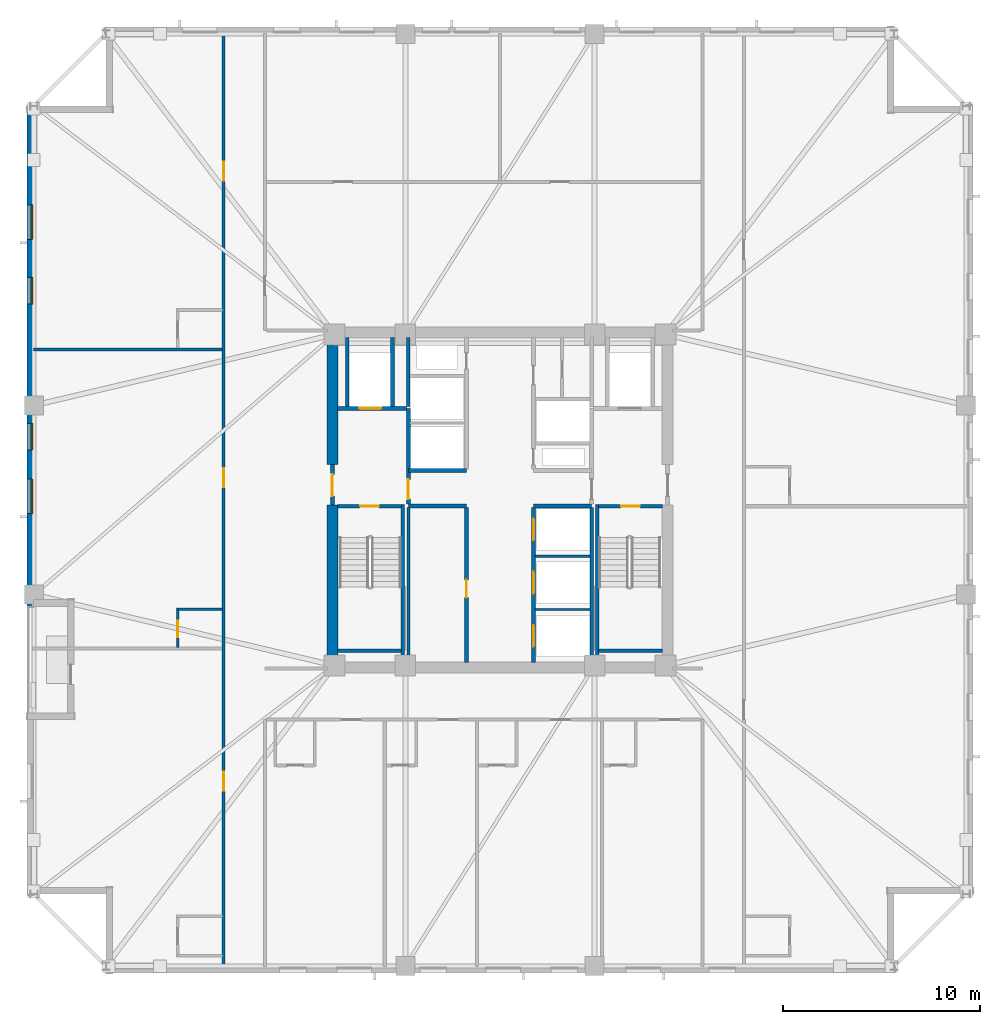
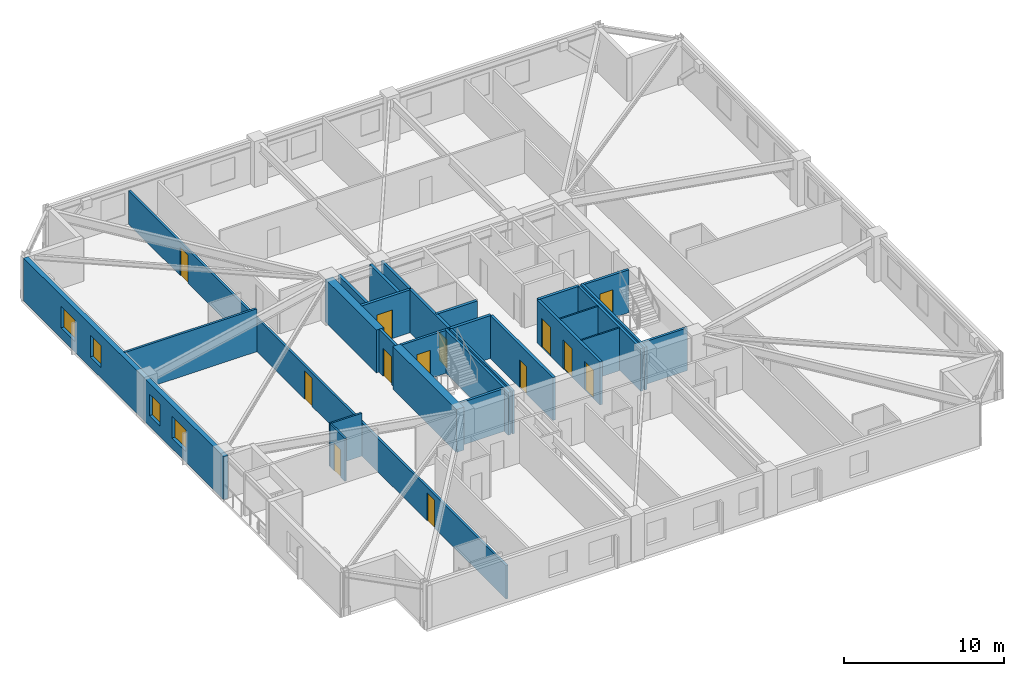
# One storey, part 3 of 10: 28 walls, 13 doors, 4 windows, 17 openings.
"""IFC4 building model written with IfcOpenShell, lengths in metres."""

from ifc_helpers import new_model, si_unit, direction, frame, frame_2d, origin, place, context, subcontext, project, spatial, rectangle, extrude, material, layer, layer_set, type_object, element, fill, save


model = new_model("IFC4")

# Units and contexts
model_context = context("Model", 3, precision=1e-05, world=origin(), true_north=direction((0.0, 1.0)))
body_context = subcontext(model_context, "Body", "Model", "MODEL_VIEW")
ifc_project = project(units=[si_unit("LENGTHUNIT", "METRE"), si_unit("AREAUNIT", "SQUARE_METRE"), si_unit("VOLUMEUNIT", "CUBIC_METRE"), si_unit("PLANEANGLEUNIT", "RADIAN"), si_unit("MASSUNIT", "GRAM", prefix="KILO")], contexts=[model_context])

# Site, building, storey
site_placement = place(None, origin())
site = spatial("IfcSite", under=ifc_project, at=site_placement, CompositionType="ELEMENT")
building_placement = place(site_placement, origin())
building = spatial("IfcBuilding", under=site, at=building_placement, Name="Cairnveth Concourse Tower", CompositionType="ELEMENT")
storey_placement = place(building_placement, frame((0.0, 0.0, 137.5)))
storey = spatial("IfcBuildingStorey", under=building, at=storey_placement, Name="L37", CompositionType="ELEMENT", Elevation=137.5)

# Wall
ifc_material_1 = material(Name="Gypsum Plasterboard Partition", Category="gypsum")
ifc_layer_1 = layer(ifc_material_1, 0.159912109375)
ifc_layer_set_1 = layer_set([ifc_layer_1], Name="Gypsum Plasterboard Partition")
wall_type_1 = type_object("IfcWallType", Name="ACOUSTIC PARTY WALL 180", PredefinedType="PARTITIONING", material=ifc_layer_set_1)
wall_1_placement = place(storey_placement, frame((47.35009765625, 30.760009765625, 0.0), z_axis=(0.0, 0.0, 1.0), x_axis=(0.0, 1.0, 0.0)))
element("IfcWall", 1, at=wall_1_placement, inside=storey, type_object=wall_type_1, Name="Interior Wall IW-L37-025", PredefinedType="PARTITIONING", context=body_context, shape_type="SweptSolid", body=[
    extrude(rectangle(XDim=7.85498046875, YDim=0.159912109375, at=frame_2d((3.927490234375, 0.0))), origin(), (0.0, 0.0, 1.0), 3.280029296875),
])

# Wall, openings, doors
wall_2_placement = place(storey_placement, frame((37.97509765625, 15.324951171875, 0.0), z_axis=(0.0, 0.0, 1.0), x_axis=(0.0, 1.0, 0.0)))
wall_2 = element("IfcWall", 2, at=wall_2_placement, inside=storey, type_object=wall_type_1, Name="Interior Wall IW-L37-036", PredefinedType="PARTITIONING", context=body_context, shape_type="SweptSolid", body=[
    extrude(rectangle(XDim=47.35009765625, YDim=0.159912109375, at=frame_2d((23.675048828125, 0.0))), origin(), (0.0, 0.0, 1.0), 2.554931640625),
])
opening_1_placement = place(wall_2_placement, frame((8.93359375, 0.0, 0.0)))
opening_1 = element("IfcOpeningElement", 3, at=opening_1_placement, cuts=wall_2, Name="Opening ID09", PredefinedType="OPENING", context=body_context, shape_type="SweptSolid", body=[
    extrude(rectangle(XDim=0.9599609375, YDim=2.14990234375, at=frame_2d((0.47998046875, 1.074951171875))), frame((0.0, 0.08984375, 0.0), z_axis=(0.0, -1.0, 0.0), x_axis=(1.0, 0.0, 0.0)), (0.0, 0.0, 1.0), 0.179931640625),
])
opening_2_placement = place(wall_2_placement, frame((24.31884765625, 0.0, 0.0)))
opening_2 = element("IfcOpeningElement", 4, at=opening_2_placement, cuts=wall_2, Name="Opening ID09", PredefinedType="OPENING", context=body_context, shape_type="SweptSolid", body=[
    extrude(rectangle(XDim=0.9599609375, YDim=2.14990234375, at=frame_2d((0.47998046875, 1.074951171875))), frame((0.0, 0.08984375, 0.0), z_axis=(0.0, -1.0, 0.0), x_axis=(1.0, 0.0, 0.0)), (0.0, 0.0, 1.0), 0.179931640625),
])
opening_3_placement = place(wall_2_placement, frame((39.88037109375, 0.0, 0.0)))
opening_3 = element("IfcOpeningElement", 5, at=opening_3_placement, cuts=wall_2, Name="Opening ID09", PredefinedType="OPENING", context=body_context, shape_type="SweptSolid", body=[
    extrude(rectangle(XDim=0.9599609375, YDim=2.14990234375, at=frame_2d((0.47998046875, 1.074951171875))), frame((0.0, 0.08984375, 0.0), z_axis=(0.0, -1.0, 0.0), x_axis=(1.0, 0.0, 0.0)), (0.0, 0.0, 1.0), 0.179931640625),
])
ifc_material_2 = material(Name="Solid Core Hardwood Timber Leaf", Category="wood")
door_type_1 = type_object("IfcDoorType", Name="HOTEL ENTRANCE DOOR 960X2150", OperationType="NOTDEFINED", PredefinedType="DOOR", material=ifc_material_2)
door_1_placement = place(opening_1_placement, origin())
door_1 = element("IfcDoor", 6, at=door_1_placement, inside=storey, type_object=door_type_1, Name="Hotel Room Door L37-W1", OperationType="SINGLE_SWING_LEFT", OverallHeight=2.14990234375, OverallWidth=0.9599609375, PredefinedType="DOOR", context=body_context, shape_type="SweptSolid", body=[
    extrude(rectangle(XDim=0.9599609375, YDim=2.14990234375, at=frame_2d((0.47998046875, 1.074951171875))), frame((0.0, 0.02490234375, 0.0), z_axis=(0.0, -1.0, 0.0), x_axis=(1.0, 0.0, 0.0)), (0.0, 0.0, 1.0), 0.050048828125),
])
fill(opening_1, door_1)
door_2_placement = place(opening_2_placement, origin())
door_2 = element("IfcDoor", 7, at=door_2_placement, inside=storey, type_object=door_type_1, Name="Hotel Room Door L37-W2", OperationType="SINGLE_SWING_LEFT", OverallHeight=2.14990234375, OverallWidth=0.9599609375, PredefinedType="DOOR", context=body_context, shape_type="SweptSolid", body=[
    extrude(rectangle(XDim=0.9599609375, YDim=2.14990234375, at=frame_2d((0.47998046875, 1.074951171875))), frame((0.0, 0.02490234375, 0.0), z_axis=(0.0, -1.0, 0.0), x_axis=(1.0, 0.0, 0.0)), (0.0, 0.0, 1.0), 0.050048828125),
])
fill(opening_2, door_2)
door_3_placement = place(opening_3_placement, origin())
door_3 = element("IfcDoor", 8, at=door_3_placement, inside=storey, type_object=door_type_1, Name="Hotel Room Door L37-W3", OperationType="SINGLE_SWING_LEFT", OverallHeight=2.14990234375, OverallWidth=0.9599609375, PredefinedType="DOOR", context=body_context, shape_type="SweptSolid", body=[
    extrude(rectangle(XDim=0.9599609375, YDim=2.14990234375, at=frame_2d((0.47998046875, 1.074951171875))), frame((0.0, 0.02490234375, 0.0), z_axis=(0.0, -1.0, 0.0), x_axis=(1.0, 0.0, 0.0)), (0.0, 0.0, 1.0), 0.050048828125),
])
fill(opening_3, door_3)

# Walls
wall_3_placement = place(storey_placement, frame((28.324951171875, 46.640625, 0.0), z_axis=(0.0, 0.0, 1.0), x_axis=(1.0, 0.0, 0.0)))
element("IfcWall", 9, at=wall_3_placement, inside=storey, type_object=wall_type_1, Name="Interior Wall IW-L37-067", PredefinedType="PARTITIONING", context=body_context, shape_type="SweptSolid", body=[
    extrude(rectangle(XDim=9.570068359375, YDim=0.159912109375, at=frame_2d((4.78515625, 0.0))), origin(), (0.0, 0.0, 1.0), 3.280029296875),
])
ifc_material_3 = material(Name="Concrete N80 (80 MPa)", Category="concrete")
ifc_layer_2 = layer(ifc_material_3, 0.550048828125)
ifc_layer_set_2 = layer_set([ifc_layer_2], Name="Concrete N80 (80 MPa)")
wall_type_2 = type_object("IfcWallType", Name="CORE SHEAR WALL 550", PredefinedType="SHEAR", material=ifc_layer_set_2)
wall_4_placement = place(storey_placement, frame((43.5, 30.764892578125, 0.0), z_axis=(0.0, 0.0, 1.0), x_axis=(0.0, 1.0, 0.0)))
element("IfcWall", 10, at=wall_4_placement, inside=storey, type_object=wall_type_2, Name="Core West Shear Wall S L37", PredefinedType="SHEAR", context=body_context, shape_type="SweptSolid", body=[
    extrude(rectangle(XDim=7.985107421875, YDim=0.550048828125, at=frame_2d((3.99267578125, 0.0))), origin(), (0.0, 0.0, 1.0), 3.280029296875),
])
wall_5_placement = place(storey_placement, frame((43.5, 40.800048828125, 0.0), z_axis=(0.0, 0.0, 1.0), x_axis=(0.0, 1.0, 0.0)))
element("IfcWall", 11, at=wall_5_placement, inside=storey, type_object=wall_type_2, Name="Core West Shear Wall N L37", PredefinedType="SHEAR", context=body_context, shape_type="SweptSolid", body=[
    extrude(rectangle(XDim=6.43505859375, YDim=0.550048828125, at=frame_2d((3.217529296875, 0.0))), origin(), (0.0, 0.0, 1.0), 3.280029296875),
])
ifc_material_4 = material(Name="Concrete N50 (50 MPa)", Category="concrete")
ifc_layer_3 = layer(ifc_material_4, 0.179931640625)
ifc_layer_set_3 = layer_set([ifc_layer_3], Name="Concrete N50 (50 MPa)")
wall_type_3 = type_object("IfcWallType", Name="FIRE SHAFT WALL 180", PredefinedType="SOLIDWALL", material=ifc_layer_set_3)
wall_6_placement = place(storey_placement, frame((56.64990234375, 30.760009765625, 0.0), z_axis=(0.0, 0.0, 1.0), x_axis=(0.0, 1.0, 0.0)))
element("IfcWall", 12, at=wall_6_placement, inside=storey, type_object=wall_type_3, Name="Interior Wall IW-L37-026", PredefinedType="SOLIDWALL", context=body_context, shape_type="SweptSolid", body=[
    extrude(rectangle(XDim=7.85498046875, YDim=0.179931640625, at=frame_2d((3.927490234375, 0.0))), origin(), (0.0, 0.0, 1.0), 3.280029296875),
])
wall_7_placement = place(storey_placement, frame((47.35009765625, 43.735107421875, 0.0), z_axis=(0.0, 0.0, 1.0), x_axis=(0.0, 1.0, 0.0)))
element("IfcWall", 13, at=wall_7_placement, inside=storey, type_object=wall_type_3, Name="Interior Wall IW-L37-029", PredefinedType="SOLIDWALL", context=body_context, shape_type="SweptSolid", body=[
    extrude(rectangle(XDim=3.5048828125, YDim=0.179931640625, at=frame_2d((1.75244140625, 0.0))), origin(), (0.0, 0.0, 1.0), 3.280029296875),
])

# Wall, opening, door
wall_8_placement = place(storey_placement, frame((43.764892578125, 38.68994140625, 0.0), z_axis=(0.0, 0.0, 1.0), x_axis=(1.0, 0.0, 0.0)))
wall_8 = element("IfcWall", 14, at=wall_8_placement, inside=storey, type_object=wall_type_3, Name="Stair ST-1 Shaft Wall NEAR L37", PredefinedType="SOLIDWALL", context=body_context, shape_type="SweptSolid", body=[
    extrude(rectangle(XDim=3.230224609375, YDim=0.179931640625, at=frame_2d((1.615234375, 0.0))), origin(), (0.0, 0.0, 1.0), 3.280029296875),
])
opening_4_placement = place(wall_8_placement, frame((1.139892578125, 0.0, 0.0)))
opening_4 = element("IfcOpeningElement", 15, at=opening_4_placement, cuts=wall_8, Name="Opening ID12", PredefinedType="OPENING", context=body_context, shape_type="SweptSolid", body=[
    extrude(rectangle(XDim=0.949951171875, YDim=2.14990234375, at=frame_2d((0.47509765625, 1.074951171875))), frame((0.0, 0.099853515625, 0.0), z_axis=(0.0, -1.0, 0.0), x_axis=(1.0, 0.0, 0.0)), (0.0, 0.0, 1.0), 0.199951171875),
])
ifc_material_5 = material(Name="Steel Grade 350", Category="steel")
door_type_2 = type_object("IfcDoorType", Name="FIRE STAIR DOOR 950X2150", OperationType="NOTDEFINED", PredefinedType="DOOR", material=ifc_material_5)
door_4_placement = place(opening_4_placement, origin())
door_4 = element("IfcDoor", 16, at=door_4_placement, inside=storey, type_object=door_type_2, Name="Stair ST-1 Fire Door L37", OperationType="SINGLE_SWING_LEFT", OverallHeight=2.14990234375, OverallWidth=0.949951171875, PredefinedType="DOOR", context=body_context, shape_type="SweptSolid", body=[
    extrude(rectangle(XDim=0.949951171875, YDim=2.14990234375, at=frame_2d((0.47509765625, 1.074951171875))), frame((0.0, 0.02490234375, 0.0), z_axis=(0.0, -1.0, 0.0), x_axis=(1.0, 0.0, 0.0)), (0.0, 0.0, 1.0), 0.050048828125),
])
fill(opening_4, door_4)

# Walls
wall_9_placement = place(storey_placement, frame((43.764892578125, 31.360107421875, 0.0), z_axis=(0.0, 0.0, 1.0), x_axis=(1.0, 0.0, 0.0)))
element("IfcWall", 17, at=wall_9_placement, inside=storey, type_object=wall_type_3, Name="Stair ST-1 Shaft Wall FAR L37", PredefinedType="SOLIDWALL", context=body_context, shape_type="SweptSolid", body=[
    extrude(rectangle(XDim=3.230224609375, YDim=0.179931640625, at=frame_2d((1.615234375, 0.0))), origin(), (0.0, 0.0, 1.0), 3.280029296875),
])
wall_10_placement = place(storey_placement, frame((47.070068359375, 38.780029296875, 0.0), z_axis=(0.0, 0.0, 1.0), x_axis=(0.0, -1.0, 0.0)))
element("IfcWall", 18, at=wall_10_placement, inside=storey, type_object=wall_type_3, Name="Stair ST-1 Shaft Wall RGHT L37", PredefinedType="SOLIDWALL", context=body_context, shape_type="SweptSolid", body=[
    extrude(rectangle(XDim=8.01708984375, YDim=0.179931640625, at=frame_2d((4.008544921875, 0.0))), origin(), (0.0, 0.0, 1.0), 3.280029296875),
])

# Wall, opening, door
wall_11_placement = place(storey_placement, frame((57.0048828125, 38.68994140625, 0.0), z_axis=(0.0, 0.0, 1.0), x_axis=(1.0, 0.0, 0.0)))
wall_11 = element("IfcWall", 19, at=wall_11_placement, inside=storey, type_object=wall_type_3, Name="Stair ST-2 Shaft Wall NEAR L37", PredefinedType="SOLIDWALL", context=body_context, shape_type="SweptSolid", body=[
    extrude(rectangle(XDim=3.230224609375, YDim=0.179931640625, at=frame_2d((1.615234375, 0.0))), origin(), (0.0, 0.0, 1.0), 3.280029296875),
])
opening_5_placement = place(wall_11_placement, frame((1.139892578125, 0.0, 0.0)))
opening_5 = element("IfcOpeningElement", 20, at=opening_5_placement, cuts=wall_11, Name="Opening ID12", PredefinedType="OPENING", context=body_context, shape_type="SweptSolid", body=[
    extrude(rectangle(XDim=0.949951171875, YDim=2.14990234375, at=frame_2d((0.47509765625, 1.074951171875))), frame((0.0, 0.099853515625, 0.0), z_axis=(0.0, -1.0, 0.0), x_axis=(1.0, 0.0, 0.0)), (0.0, 0.0, 1.0), 0.199951171875),
])
door_5_placement = place(opening_5_placement, origin())
door_5 = element("IfcDoor", 21, at=door_5_placement, inside=storey, type_object=door_type_2, Name="Stair ST-2 Fire Door L37", OperationType="SINGLE_SWING_RIGHT", OverallHeight=2.14990234375, OverallWidth=0.949951171875, PredefinedType="DOOR", context=body_context, shape_type="SweptSolid", body=[
    extrude(rectangle(XDim=0.949951171875, YDim=2.14990234375, at=frame_2d((0.47509765625, 1.074951171875))), frame((0.0, 0.02490234375, 0.0), z_axis=(0.0, -1.0, 0.0), x_axis=(1.0, 0.0, 0.0)), (0.0, 0.0, 1.0), 0.050048828125),
])
fill(opening_5, door_5)

# Walls
wall_12_placement = place(storey_placement, frame((57.0048828125, 31.360107421875, 0.0), z_axis=(0.0, 0.0, 1.0), x_axis=(1.0, 0.0, 0.0)))
element("IfcWall", 22, at=wall_12_placement, inside=storey, type_object=wall_type_3, Name="Stair ST-2 Shaft Wall FAR L37", PredefinedType="SOLIDWALL", context=body_context, shape_type="SweptSolid", body=[
    extrude(rectangle(XDim=3.230224609375, YDim=0.179931640625, at=frame_2d((1.615234375, 0.0))), origin(), (0.0, 0.0, 1.0), 3.280029296875),
])
wall_13_placement = place(storey_placement, frame((56.929931640625, 38.780029296875, 0.0), z_axis=(0.0, 0.0, 1.0), x_axis=(0.0, -1.0, 0.0)))
element("IfcWall", 23, at=wall_13_placement, inside=storey, type_object=wall_type_3, Name="Stair ST-2 Shaft Wall LEFT L37", PredefinedType="SOLIDWALL", context=body_context, shape_type="SweptSolid", body=[
    extrude(rectangle(XDim=8.01708984375, YDim=0.179931640625, at=frame_2d((4.008544921875, 0.0))), origin(), (0.0, 0.0, 1.0), 3.280029296875),
])
ifc_layer_4 = layer(ifc_material_4, 0.199951171875)
ifc_layer_set_4 = layer_set([ifc_layer_4], Name="Concrete N50 (50 MPa)")
wall_type_4 = type_object("IfcWallType", Name="FIRE SHAFT WALL 200", PredefinedType="SOLIDWALL", material=ifc_layer_set_4)
for number, where, z_axis, x_axis, name in (
    (24, (47.35009765625, 38.699951171875, 0.0), (0.0, 0.0, 1.0), (1.0, 0.0, 0.0), "Interior Wall IW-L37-007"),
    (25, (47.35009765625, 40.5, 0.0), (0.0, 0.0, 1.0), (1.0, 0.0, 0.0), "Interior Wall IW-L37-008"),
    (26, (53.699951171875, 38.699951171875, 0.0), (0.0, 0.0, 1.0), (1.0, 0.0, 0.0), "Interior Wall IW-L37-009"),
):
    element("IfcWall", number, at=place(storey_placement, frame(where, z_axis=z_axis, x_axis=x_axis)), inside=storey, type_object=wall_type_4, Name=name, PredefinedType="SOLIDWALL", context=body_context, shape_type="SweptSolid", body=[
        extrude(rectangle(XDim=2.949951171875, YDim=0.199951171875, at=frame_2d((1.47509765625, 0.0))), origin(), (0.0, 0.0, 1.0), 3.280029296875),
    ])

# Wall, opening, door
wall_14_placement = place(storey_placement, frame((50.300048828125, 30.760009765625, 0.0), z_axis=(0.0, 0.0, 1.0), x_axis=(0.0, 1.0, 0.0)))
wall_14 = element("IfcWall", 27, at=wall_14_placement, inside=storey, type_object=wall_type_4, Name="Interior Wall IW-L37-011", PredefinedType="SOLIDWALL", context=body_context, shape_type="SweptSolid", body=[
    extrude(rectangle(XDim=7.85498046875, YDim=0.199951171875, at=frame_2d((3.927490234375, 0.0))), origin(), (0.0, 0.0, 1.0), 3.280029296875),
])
opening_6_placement = place(wall_14_placement, frame((3.2900390625, 0.0, 0.0)))
opening_6 = element("IfcOpeningElement", 28, at=opening_6_placement, cuts=wall_14, Name="Opening ID16", PredefinedType="OPENING", context=body_context, shape_type="SweptSolid", body=[
    extrude(rectangle(XDim=0.89990234375, YDim=2.1201171875, at=frame_2d((0.449951171875, 1.06005859375))), frame((0.0, 0.10986328125, 0.0), z_axis=(0.0, -1.0, 0.0), x_axis=(1.0, 0.0, 0.0)), (0.0, 0.0, 1.0), 0.219970703125),
])
door_type_3 = type_object("IfcDoorType", Name="CORE SERVICE DOOR 900X2100", OperationType="NOTDEFINED", PredefinedType="DOOR", material=ifc_material_5)
door_6_placement = place(opening_6_placement, origin())
door_6 = element("IfcDoor", 29, at=door_6_placement, inside=storey, type_object=door_type_3, Name="Linen Pantry Suite Door L37", OperationType="SINGLE_SWING_LEFT", OverallHeight=2.1201171875, OverallWidth=0.89990234375, PredefinedType="DOOR", context=body_context, shape_type="SweptSolid", body=[
    extrude(rectangle(XDim=0.89990234375, YDim=2.1201171875, at=frame_2d((0.449951171875, 1.06005859375))), frame((0.0, 0.02490234375, 0.0), z_axis=(0.0, -1.0, 0.0), x_axis=(1.0, 0.0, 0.0)), (0.0, 0.0, 1.0), 0.050048828125),
])
fill(opening_6, door_6)

# Wall, openings, doors
wall_15_placement = place(storey_placement, frame((53.699951171875, 30.760009765625, 0.0), z_axis=(0.0, 0.0, 1.0), x_axis=(0.0, 1.0, 0.0)))
wall_15 = element("IfcWall", 30, at=wall_15_placement, inside=storey, type_object=wall_type_4, Name="Interior Wall IW-L37-012", PredefinedType="SOLIDWALL", context=body_context, shape_type="SweptSolid", body=[
    extrude(rectangle(XDim=7.85498046875, YDim=0.199951171875, at=frame_2d((3.927490234375, 0.0))), origin(), (0.0, 0.0, 1.0), 3.280029296875),
])
opening_7_placement = place(wall_15_placement, frame((0.7900390625, 0.0, 0.0)))
opening_7 = element("IfcOpeningElement", 31, at=opening_7_placement, cuts=wall_15, Name="Opening LD-1", PredefinedType="OPENING", context=body_context, shape_type="SweptSolid", body=[
    extrude(rectangle(XDim=1.10009765625, YDim=2.199951171875, at=frame_2d((0.550048828125, 1.10009765625))), frame((0.0, 0.10986328125, 0.0), z_axis=(0.0, -1.0, 0.0), x_axis=(1.0, 0.0, 0.0)), (0.0, 0.0, 1.0), 0.219970703125),
])
opening_8_placement = place(wall_15_placement, frame((3.489990234375, 0.0, 0.0)))
opening_8 = element("IfcOpeningElement", 32, at=opening_8_placement, cuts=wall_15, Name="Opening LD-1", PredefinedType="OPENING", context=body_context, shape_type="SweptSolid", body=[
    extrude(rectangle(XDim=1.10009765625, YDim=2.199951171875, at=frame_2d((0.550048828125, 1.10009765625))), frame((0.0, 0.10986328125, 0.0), z_axis=(0.0, -1.0, 0.0), x_axis=(1.0, 0.0, 0.0)), (0.0, 0.0, 1.0), 0.219970703125),
])
opening_9_placement = place(wall_15_placement, frame((6.18994140625, 0.0, 0.0)))
opening_9 = element("IfcOpeningElement", 33, at=opening_9_placement, cuts=wall_15, Name="Opening LD-1", PredefinedType="OPENING", context=body_context, shape_type="SweptSolid", body=[
    extrude(rectangle(XDim=1.10009765625, YDim=2.199951171875, at=frame_2d((0.550048828125, 1.10009765625))), frame((0.0, 0.10986328125, 0.0), z_axis=(0.0, -1.0, 0.0), x_axis=(1.0, 0.0, 0.0)), (0.0, 0.0, 1.0), 0.219970703125),
])
ifc_material_6 = material(Name="Architectural Bronze Anodised Aluminium 6063-T6", Category="aluminium")
door_type_4 = type_object("IfcDoorType", Name="LIFT LANDING DOOR 1100X2200", OperationType="SLIDING_TO_LEFT", PredefinedType="DOOR", material=ifc_material_6)
door_7_placement = place(opening_7_placement, origin())
door_7 = element("IfcDoor", 34, at=door_7_placement, inside=storey, type_object=door_type_4, Name="Lift PL4 Landing Door L37", OperationType="SLIDING_TO_LEFT", OverallHeight=2.199951171875, OverallWidth=1.10009765625, PredefinedType="DOOR", context=body_context, shape_type="SweptSolid", body=[
    extrude(rectangle(XDim=1.10009765625, YDim=2.199951171875, at=frame_2d((0.550048828125, 1.10009765625))), frame((0.0, 0.02490234375, 0.0), z_axis=(0.0, -1.0, 0.0), x_axis=(1.0, 0.0, 0.0)), (0.0, 0.0, 1.0), 0.050048828125),
])
fill(opening_7, door_7)
door_8_placement = place(opening_8_placement, origin())
door_8 = element("IfcDoor", 35, at=door_8_placement, inside=storey, type_object=door_type_4, Name="Lift PL5 Landing Door L37", OperationType="SLIDING_TO_LEFT", OverallHeight=2.199951171875, OverallWidth=1.10009765625, PredefinedType="DOOR", context=body_context, shape_type="SweptSolid", body=[
    extrude(rectangle(XDim=1.10009765625, YDim=2.199951171875, at=frame_2d((0.550048828125, 1.10009765625))), frame((0.0, 0.02490234375, 0.0), z_axis=(0.0, -1.0, 0.0), x_axis=(1.0, 0.0, 0.0)), (0.0, 0.0, 1.0), 0.050048828125),
])
fill(opening_8, door_8)
door_9_placement = place(opening_9_placement, origin())
door_9 = element("IfcDoor", 36, at=door_9_placement, inside=storey, type_object=door_type_4, Name="Lift PL6 Landing Door L37", OperationType="SLIDING_TO_LEFT", OverallHeight=2.199951171875, OverallWidth=1.10009765625, PredefinedType="DOOR", context=body_context, shape_type="SweptSolid", body=[
    extrude(rectangle(XDim=1.10009765625, YDim=2.199951171875, at=frame_2d((0.550048828125, 1.10009765625))), frame((0.0, 0.02490234375, 0.0), z_axis=(0.0, -1.0, 0.0), x_axis=(1.0, 0.0, 0.0)), (0.0, 0.0, 1.0), 0.050048828125),
])
fill(opening_9, door_9)

# Wall, opening, door
wall_16_placement = place(storey_placement, frame((43.5, 38.75, 0.0), z_axis=(0.0, 0.0, 1.0), x_axis=(0.0, 1.0, 0.0)))
wall_16 = element("IfcWall", 37, at=wall_16_placement, inside=storey, type_object=wall_type_4, Name="Interior Wall IW-L37-015", PredefinedType="SOLIDWALL", context=body_context, shape_type="SweptSolid", body=[
    extrude(rectangle(XDim=2.050048828125, YDim=0.199951171875, at=frame_2d((1.02490234375, 0.0))), origin(), (0.0, 0.0, 1.0), 3.280029296875),
])
opening_10_placement = place(wall_16_placement, frame((0.449951171875, 0.0, 0.0)))
opening_10 = element("IfcOpeningElement", 38, at=opening_10_placement, cuts=wall_16, Name="Opening ID06", PredefinedType="OPENING", context=body_context, shape_type="SweptSolid", body=[
    extrude(rectangle(XDim=1.10009765625, YDim=2.14990234375, at=frame_2d((0.550048828125, 1.074951171875))), frame((0.0, 0.10986328125, 0.0), z_axis=(0.0, -1.0, 0.0), x_axis=(1.0, 0.0, 0.0)), (0.0, 0.0, 1.0), 0.219970703125),
])
door_type_5 = type_object("IfcDoorType", Name="FIRE CORRIDOR DOOR 1100X2150", OperationType="NOTDEFINED", PredefinedType="DOOR", material=ifc_material_5)
door_10_placement = place(opening_10_placement, origin())
door_10 = element("IfcDoor", 39, at=door_10_placement, inside=storey, type_object=door_type_5, Name="West Wing to FF Lobby Door L37", OperationType="SINGLE_SWING_LEFT", OverallHeight=2.14990234375, OverallWidth=1.10009765625, PredefinedType="DOOR", context=body_context, shape_type="SweptSolid", body=[
    extrude(rectangle(XDim=1.10009765625, YDim=2.14990234375, at=frame_2d((0.550048828125, 1.074951171875))), frame((0.0, 0.02490234375, 0.0), z_axis=(0.0, -1.0, 0.0), x_axis=(1.0, 0.0, 0.0)), (0.0, 0.0, 1.0), 0.050048828125),
])
fill(opening_10, door_10)

wall_17_placement = place(storey_placement, frame((47.35009765625, 38.784912109375, 0.0), z_axis=(0.0, 0.0, 1.0), x_axis=(0.0, 1.0, 0.0)))
wall_17 = element("IfcWall", 40, at=wall_17_placement, inside=storey, type_object=wall_type_4, Name="Interior Wall IW-L37-016", PredefinedType="SOLIDWALL", context=body_context, shape_type="SweptSolid", body=[
    extrude(rectangle(XDim=4.864990234375, YDim=0.199951171875, at=frame_2d((2.4326171875, 0.0))), origin(), (0.0, 0.0, 1.0), 3.280029296875),
])
opening_11_placement = place(wall_17_placement, frame((0.264892578125, 0.0, 0.0)))
opening_11 = element("IfcOpeningElement", 41, at=opening_11_placement, cuts=wall_17, Name="Opening ID07", PredefinedType="OPENING", context=body_context, shape_type="SweptSolid", body=[
    extrude(rectangle(XDim=1.0, YDim=2.14990234375, at=frame_2d((0.5, 1.074951171875))), frame((0.0, 0.10986328125, 0.0), z_axis=(0.0, -1.0, 0.0), x_axis=(1.0, 0.0, 0.0)), (0.0, 0.0, 1.0), 0.219970703125),
])
door_type_6 = type_object("IfcDoorType", Name="FIRE CORRIDOR DOOR 1000X2150", OperationType="NOTDEFINED", PredefinedType="DOOR", material=ifc_material_5)
door_11_placement = place(opening_11_placement, origin())
door_11 = element("IfcDoor", 42, at=door_11_placement, inside=storey, type_object=door_type_6, Name="FF Lobby West to Lift Lobby Door L37", OperationType="SINGLE_SWING_RIGHT", OverallHeight=2.14990234375, OverallWidth=1.0, PredefinedType="DOOR", context=body_context, shape_type="SweptSolid", body=[
    extrude(rectangle(XDim=1.0, YDim=2.14990234375, at=frame_2d((0.5, 1.074951171875))), frame((0.0, 0.02490234375, 0.0), z_axis=(0.0, -1.0, 0.0), x_axis=(1.0, 0.0, 0.0)), (0.0, 0.0, 1.0), 0.050048828125),
])
fill(opening_11, door_11)

wall_18_placement = place(storey_placement, frame((43.760009765625, 43.64990234375, 0.0), z_axis=(0.0, 0.0, 1.0), x_axis=(1.0, 0.0, 0.0)))
wall_18 = element("IfcWall", 43, at=wall_18_placement, inside=storey, type_object=wall_type_4, Name="Interior Wall IW-L37-017", PredefinedType="SOLIDWALL", context=body_context, shape_type="SweptSolid", body=[
    extrude(rectangle(XDim=3.5048828125, YDim=0.199951171875, at=frame_2d((1.75244140625, 0.0))), origin(), (0.0, 0.0, 1.0), 3.280029296875),
])
opening_12_placement = place(wall_18_placement, frame((1.110107421875, 0.0, 0.0)))
opening_12 = element("IfcOpeningElement", 44, at=opening_12_placement, cuts=wall_18, Name="Opening LD-1", PredefinedType="OPENING", context=body_context, shape_type="SweptSolid", body=[
    extrude(rectangle(XDim=1.10009765625, YDim=2.199951171875, at=frame_2d((0.550048828125, 1.10009765625))), frame((0.0, 0.10986328125, 0.0), z_axis=(0.0, -1.0, 0.0), x_axis=(1.0, 0.0, 0.0)), (0.0, 0.0, 1.0), 0.219970703125),
])
door_12_placement = place(opening_12_placement, origin())
door_12 = element("IfcDoor", 45, at=door_12_placement, inside=storey, type_object=door_type_4, Name="Lift FFL1 Landing Door L37", OperationType="SLIDING_TO_LEFT", OverallHeight=2.199951171875, OverallWidth=1.10009765625, PredefinedType="DOOR", context=body_context, shape_type="SweptSolid", body=[
    extrude(rectangle(XDim=1.10009765625, YDim=2.199951171875, at=frame_2d((0.550048828125, 1.10009765625))), frame((0.0, 0.02490234375, 0.0), z_axis=(0.0, -1.0, 0.0), x_axis=(1.0, 0.0, 0.0)), (0.0, 0.0, 1.0), 0.050048828125),
])
fill(opening_12, door_12)

# Walls
for number, where, z_axis, x_axis, name in (
    (46, (46.550048828125, 43.735107421875, 0.0), (0.0, 0.0, 1.0), (0.0, 1.0, 0.0), "Interior Wall IW-L37-018"),
    (47, (44.25, 43.735107421875, 0.0), (0.0, 0.0, 1.0), (0.0, 1.0, 0.0), "Interior Wall IW-L37-019"),
):
    element("IfcWall", number, at=place(storey_placement, frame(where, z_axis=z_axis, x_axis=x_axis)), inside=storey, type_object=wall_type_4, Name=name, PredefinedType="SOLIDWALL", context=body_context, shape_type="SweptSolid", body=[
        extrude(rectangle(XDim=3.5048828125, YDim=0.199951171875, at=frame_2d((1.75244140625, 0.0))), origin(), (0.0, 0.0, 1.0), 3.280029296875),
    ])
ifc_layer_5 = layer(ifc_material_1, 0.110107421875)
ifc_layer_set_5 = layer_set([ifc_layer_5], Name="Gypsum Plasterboard Partition")
wall_type_5 = type_object("IfcWallType", Name="SHAFT DIVIDER WALL 140", PredefinedType="PARTITIONING", material=ifc_layer_set_5)
for number, where, z_axis, x_axis, name in (
    (48, (53.784912109375, 33.449951171875, 0.0), (0.0, 0.0, 1.0), (1.0, 0.0, 0.0), "Interior Wall IW-L37-027"),
    (49, (53.784912109375, 36.14990234375, 0.0), (0.0, 0.0, 1.0), (1.0, 0.0, 0.0), "Interior Wall IW-L37-028"),
):
    element("IfcWall", number, at=place(storey_placement, frame(where, z_axis=z_axis, x_axis=x_axis)), inside=storey, type_object=wall_type_5, Name=name, PredefinedType="PARTITIONING", context=body_context, shape_type="SweptSolid", body=[
        extrude(rectangle(XDim=2.7900390625, YDim=0.110107421875, at=frame_2d((1.39501953125, 0.0))), origin(), (0.0, 0.0, 1.0), 3.280029296875),
    ])
ifc_layer_6 = layer(ifc_material_1, 0.1298828125)
ifc_layer_set_6 = layer_set([ifc_layer_6], Name="Gypsum Plasterboard Partition")
wall_type_6 = type_object("IfcWallType", Name="WET AREA PARTITION 140", PredefinedType="PLUMBINGWALL", material=ifc_layer_set_6)
wall_19_placement = place(storey_placement, frame((35.594970703125, 33.456787109375, 0.0), z_axis=(0.0, 0.0, 1.0), x_axis=(1.0, 0.0, 0.0)))
element("IfcWall", 50, at=wall_19_placement, inside=storey, type_object=wall_type_6, Name="Interior Wall IW-L37-065", PredefinedType="PLUMBINGWALL", context=body_context, shape_type="SweptSolid", body=[
    extrude(rectangle(XDim=2.31494140625, YDim=0.1298828125, at=frame_2d((1.157470703125, 0.0))), origin(), (0.0, 0.0, 1.0), 3.280029296875),
])

# Wall, opening, door
wall_20_placement = place(storey_placement, frame((35.64501953125, 31.52197265625, 0.0), z_axis=(0.0, 0.0, 1.0), x_axis=(0.0, 1.0, 0.0)))
wall_20 = element("IfcWall", 51, at=wall_20_placement, inside=storey, type_object=wall_type_6, Name="Interior Wall IW-L37-066", PredefinedType="PLUMBINGWALL", context=body_context, shape_type="SweptSolid", body=[
    extrude(rectangle(XDim=1.885009765625, YDim=0.1298828125, at=frame_2d((0.9423828125, 0.0))), origin(), (0.0, 0.0, 1.0), 3.280029296875),
])
opening_13_placement = place(wall_20_placement, frame((0.52490234375, 0.0, 0.0)))
opening_13 = element("IfcOpeningElement", 52, at=opening_13_placement, cuts=wall_20, Name="Opening ID22", PredefinedType="OPENING", context=body_context, shape_type="SweptSolid", body=[
    extrude(rectangle(XDim=0.820068359375, YDim=2.10009765625, at=frame_2d((0.41015625, 1.050048828125))), frame((0.0, 0.074951171875, 0.0), z_axis=(0.0, -1.0, 0.0), x_axis=(1.0, 0.0, 0.0)), (0.0, 0.0, 1.0), 0.14990234375),
])
door_type_7 = type_object("IfcDoorType", Name="INTERIOR WC DOOR 820X2100", OperationType="NOTDEFINED", PredefinedType="DOOR", material=ifc_material_2)
door_13_placement = place(opening_13_placement, origin())
door_13 = element("IfcDoor", 53, at=door_13_placement, inside=storey, type_object=door_type_7, Name="En-Suite Door L37-W2", OperationType="SINGLE_SWING_RIGHT", OverallHeight=2.10009765625, OverallWidth=0.820068359375, PredefinedType="DOOR", context=body_context, shape_type="SweptSolid", body=[
    extrude(rectangle(XDim=0.820068359375, YDim=2.10009765625, at=frame_2d((0.41015625, 1.050048828125))), frame((0.0, 0.02490234375, 0.0), z_axis=(0.0, -1.0, 0.0), x_axis=(1.0, 0.0, 0.0)), (0.0, 0.0, 1.0), 0.050048828125),
])
fill(opening_13, door_13)

# Wall, openings, windows
ifc_material_7 = material(Name="Hawthorn Red-Ochre Fired Clay Brick Masonry", Category="masonry")
ifc_layer_7 = layer(ifc_material_7, 0.340087890625)
ifc_layer_set_7 = layer_set([ifc_layer_7], Name="Hawthorn Red-Ochre Fired Clay Brick Masonry")
wall_type_7 = type_object("IfcWallType", Name="ZONE 2 BRICK PIER SPANDREL WALL 340", PredefinedType="SOLIDWALL", material=ifc_layer_set_7)
wall_21_placement = place(storey_placement, frame((28.169921875, 33.60009765625, 0.0), z_axis=(0.0, 0.0, 1.0), x_axis=(0.0, 1.0, 0.0)))
wall_21 = element("IfcWall", 54, at=wall_21_placement, inside=storey, type_object=wall_type_7, Name="Exterior Wall EW-L37-S00", PredefinedType="SOLIDWALL", context=body_context, shape_type="SweptSolid", body=[
    extrude(rectangle(XDim=25.081787109375, YDim=0.340087890625, at=frame_2d((12.541015625, 0.0))), origin(), (0.0, 0.0, 1.0), 3.280029296875),
])
opening_14_placement = place(wall_21_placement, frame((4.713134765625, 0.0, 0.800048828125)))
opening_14 = element("IfcOpeningElement", 55, at=opening_14_placement, cuts=wall_21, Name="Opening W06", PredefinedType="OPENING", context=body_context, shape_type="SweptSolid", body=[
    extrude(rectangle(XDim=1.75, YDim=1.659912109375, at=frame_2d((0.875, 0.830078125))), frame((0.0, 0.179931640625, 0.0), z_axis=(0.0, -1.0, 0.0), x_axis=(1.0, 0.0, 0.0)), (0.0, 0.0, 1.0), 0.360107421875),
])
opening_15_placement = place(wall_21_placement, frame((7.939697265625, 0.0, 0.800048828125)))
opening_15 = element("IfcOpeningElement", 56, at=opening_15_placement, cuts=wall_21, Name="Opening W02", PredefinedType="OPENING", context=body_context, shape_type="SweptSolid", body=[
    extrude(rectangle(XDim=1.35009765625, YDim=1.659912109375, at=frame_2d((0.675048828125, 0.830078125))), frame((0.0, 0.179931640625, 0.0), z_axis=(0.0, -1.0, 0.0), x_axis=(1.0, 0.0, 0.0)), (0.0, 0.0, 1.0), 0.360107421875),
])
opening_16_placement = place(wall_21_placement, frame((15.34228515625, 0.0, 0.800048828125)))
opening_16 = element("IfcOpeningElement", 57, at=opening_16_placement, cuts=wall_21, Name="Opening W02", PredefinedType="OPENING", context=body_context, shape_type="SweptSolid", body=[
    extrude(rectangle(XDim=1.35009765625, YDim=1.659912109375, at=frame_2d((0.675048828125, 0.830078125))), frame((0.0, 0.179931640625, 0.0), z_axis=(0.0, -1.0, 0.0), x_axis=(1.0, 0.0, 0.0)), (0.0, 0.0, 1.0), 0.360107421875),
])
opening_17_placement = place(wall_21_placement, frame((18.618896484375, 0.0, 0.800048828125)))
opening_17 = element("IfcOpeningElement", 58, at=opening_17_placement, cuts=wall_21, Name="Opening W06", PredefinedType="OPENING", context=body_context, shape_type="SweptSolid", body=[
    extrude(rectangle(XDim=1.75, YDim=1.659912109375, at=frame_2d((0.875, 0.830078125))), frame((0.0, 0.179931640625, 0.0), z_axis=(0.0, -1.0, 0.0), x_axis=(1.0, 0.0, 0.0)), (0.0, 0.0, 1.0), 0.360107421875),
])
ifc_material_8 = material(Name="Double Glazed Low-E Clear Glass", Category="glass")
window_type_1 = type_object("IfcWindowType", Name="DEEP-SET GOTHIC LANCET WINDOW 1350X1800", PartitioningType="DOUBLE_PANEL_VERTICAL", PredefinedType="WINDOW", material=ifc_material_8)
window_1_placement = place(opening_15_placement, origin())
window_1 = element("IfcWindow", 59, at=window_1_placement, inside=storey, type_object=window_type_1, Name="Gothic Lancet Window L37-0-2", OverallHeight=1.659912109375, OverallWidth=1.35009765625, PartitioningType="SINGLE_PANEL", PredefinedType="WINDOW", context=body_context, shape_type="SweptSolid", body=[
    extrude(rectangle(XDim=1.35009765625, YDim=1.659912109375, at=frame_2d((0.675048828125, 0.830078125))), frame((0.0, -0.050048828125, 0.0), z_axis=(0.0, -1.0, 0.0), x_axis=(1.0, 0.0, 0.0)), (0.0, 0.0, 1.0), 0.06005859375),
])
fill(opening_15, window_1)
window_2_placement = place(opening_16_placement, origin())
window_2 = element("IfcWindow", 60, at=window_2_placement, inside=storey, type_object=window_type_1, Name="Gothic Lancet Window L37-0-4", OverallHeight=1.659912109375, OverallWidth=1.35009765625, PartitioningType="SINGLE_PANEL", PredefinedType="WINDOW", context=body_context, shape_type="SweptSolid", body=[
    extrude(rectangle(XDim=1.35009765625, YDim=1.659912109375, at=frame_2d((0.675048828125, 0.830078125))), frame((0.0, -0.050048828125, 0.0), z_axis=(0.0, -1.0, 0.0), x_axis=(1.0, 0.0, 0.0)), (0.0, 0.0, 1.0), 0.06005859375),
])
fill(opening_16, window_2)
window_type_2 = type_object("IfcWindowType", Name="DEEP-SET HOTEL SUITE WINDOW 1750X1800", PartitioningType="DOUBLE_PANEL_VERTICAL", PredefinedType="WINDOW", material=ifc_material_8)
window_3_placement = place(opening_14_placement, origin())
window_3 = element("IfcWindow", 61, at=window_3_placement, inside=storey, type_object=window_type_2, Name="Gothic Lancet Window L37-0-1", OverallHeight=1.659912109375, OverallWidth=1.75, PartitioningType="SINGLE_PANEL", PredefinedType="WINDOW", context=body_context, shape_type="SweptSolid", body=[
    extrude(rectangle(XDim=1.75, YDim=1.659912109375, at=frame_2d((0.875, 0.830078125))), frame((0.0, -0.050048828125, 0.0), z_axis=(0.0, -1.0, 0.0), x_axis=(1.0, 0.0, 0.0)), (0.0, 0.0, 1.0), 0.06005859375),
])
fill(opening_14, window_3)
window_4_placement = place(opening_17_placement, origin())
window_4 = element("IfcWindow", 62, at=window_4_placement, inside=storey, type_object=window_type_2, Name="Gothic Lancet Window L37-0-5", OverallHeight=1.659912109375, OverallWidth=1.75, PartitioningType="SINGLE_PANEL", PredefinedType="WINDOW", context=body_context, shape_type="SweptSolid", body=[
    extrude(rectangle(XDim=1.75, YDim=1.659912109375, at=frame_2d((0.875, 0.830078125))), frame((0.0, -0.050048828125, 0.0), z_axis=(0.0, -1.0, 0.0), x_axis=(1.0, 0.0, 0.0)), (0.0, 0.0, 1.0), 0.06005859375),
])
fill(opening_17, window_4)

save(model, "model.ifc")
